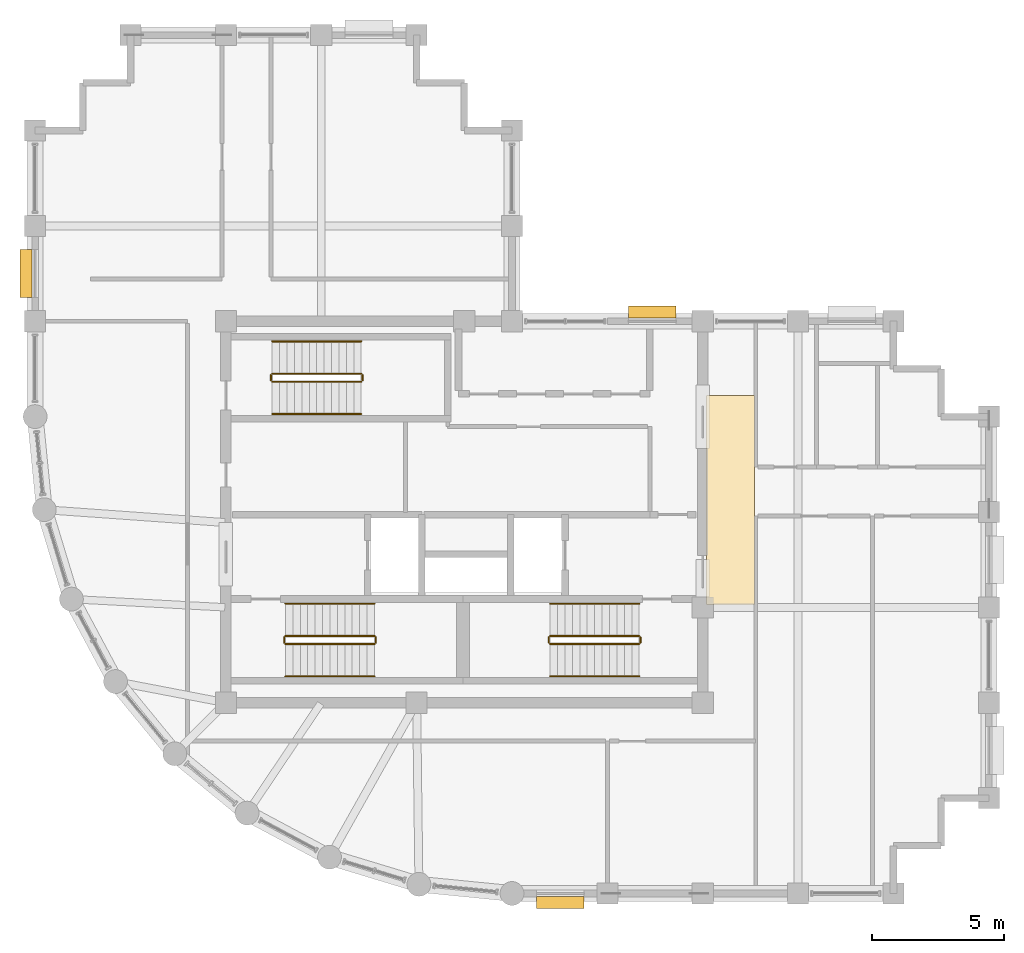
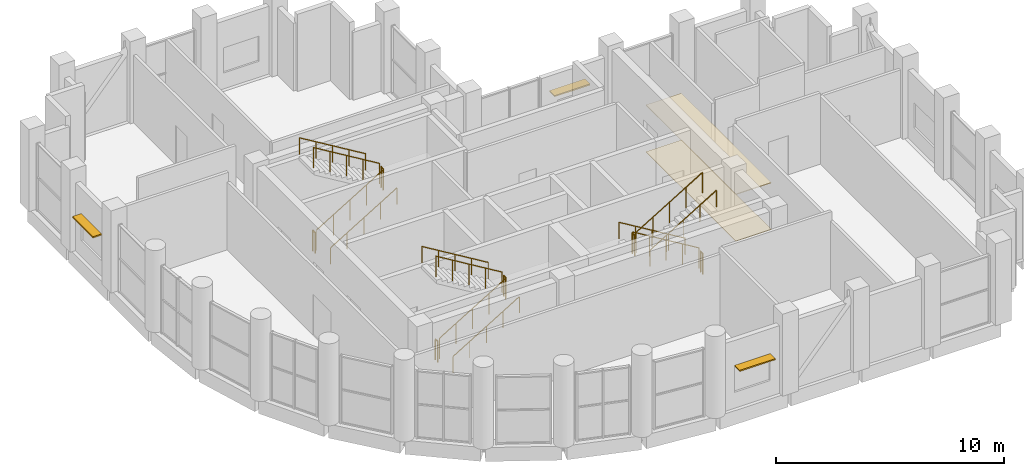
# One storey, part 17 of 18: 18 railings, 3 shading devices, 2 coverings.
"""IFC4 building model written with IfcOpenShell, lengths in metres."""

from ifc_helpers import new_model, si_unit, direction, frame, origin, origin_2d, place, context, subcontext, project, spatial, polyline, rectangle, circle, outline, extrude, material, layer, layer_set, type_object, element, save


model = new_model("IFC4")

# Units and contexts
model_context = context("Model", 3, precision=1e-05, world=origin(), true_north=direction((0.0, 1.0)))
body_context = subcontext(model_context, "Body", "Model", "MODEL_VIEW")
ifc_project = project(units=[si_unit("LENGTHUNIT", "METRE"), si_unit("AREAUNIT", "SQUARE_METRE"), si_unit("VOLUMEUNIT", "CUBIC_METRE"), si_unit("PLANEANGLEUNIT", "RADIAN"), si_unit("MASSUNIT", "GRAM", prefix="KILO")], contexts=[model_context])

# Site, building, storey
site_placement = place(None, origin())
site = spatial("IfcSite", under=ifc_project, at=site_placement, CompositionType="ELEMENT")
building_placement = place(site_placement, origin())
building = spatial("IfcBuilding", under=site, at=building_placement, Name="Solnavia Interchange Tower", CompositionType="ELEMENT")
storey_placement = place(building_placement, frame((0.0, 0.0, 295.39990234375)))
storey = spatial("IfcBuildingStorey", under=building, at=storey_placement, Name="L75", CompositionType="ELEMENT", Elevation=295.39990234375)

# Coverings
ifc_material_1 = material(Name="Perforated Mineral-Fibre & Gypsum Ceiling", Category="gypsum")
ifc_layer_1 = layer(ifc_material_1, 0.0400390625)
ifc_layer_set_1 = layer_set([ifc_layer_1], Name="Perforated Mineral-Fibre & Gypsum Ceiling")
covering_type_1 = type_object("IfcCoveringType", Name="Covering-Ceiling-Acoustic40", PredefinedType="CEILING", material=ifc_layer_set_1)
covering_1_placement = place(storey_placement, frame((0.0, 0.0, 2.5)))
element("IfcCovering", 1, at=covering_1_placement, inside=storey, type_object=covering_type_1, Name="CLG-L75-01 Circulation suspended acoustic ceiling", PredefinedType="CEILING", context=body_context, shape_type="SweptSolid", body=[
    extrude(outline(polyline([(32.550048828125, 14.5), (34.35009765625, 14.5), (34.35009765625, 22.39990234375), (32.550048828125, 22.39990234375), (32.550048828125, 14.5)])), origin(), (0.0, 0.0, 1.0), 0.0400390625),
])
ifc_material_2 = material(Name="Polished Alicante Stone Terrazzo", Category="masonry")
ifc_layer_2 = layer(ifc_material_2, 0.02490234375)
ifc_layer_set_2 = layer_set([ifc_layer_2], Name="Polished Alicante Stone Terrazzo")
covering_type_2 = type_object("IfcCoveringType", Name="Covering-Flooring-Terrazzo25", PredefinedType="FLOORING", material=ifc_layer_set_2)
covering_2_placement = place(storey_placement, origin())
element("IfcCovering", 2, at=covering_2_placement, inside=storey, type_object=covering_type_2, Name="FLR-L75-01 Circulation floor finish", PredefinedType="FLOORING", context=body_context, shape_type="SweptSolid", body=[
    extrude(outline(polyline([(32.550048828125, 14.5), (34.35009765625, 14.5), (34.35009765625, 22.39990234375), (32.550048828125, 22.39990234375), (32.550048828125, 14.5)])), origin(), (0.0, 0.0, 1.0), 0.025146484375),
])

# Railings
ifc_material_3 = material(Name="Painted Steel Balustrade", Category="steel")
railing_type_1 = type_object("IfcRailingType", Name="Railing-StairGuard-1100", PredefinedType="GUARDRAIL", material=ifc_material_3)
railing_1_placement = place(storey_placement, frame((16.64990234375, 13.02001953125, 0.16943359375)))
element("IfcRailing", 3, at=railing_1_placement, inside=storey, type_object=railing_type_1, Name="L75 ST-1 stair guard 1", PredefinedType="GUARDRAIL", context=body_context, shape_type="SweptSolid", body=[
    extrude(circle(Radius=0.02392578125, at=origin_2d()), frame((0.0, 0.0, 1.09619140625), z_axis=(0.855836976705, 0.0, 0.517245656632), x_axis=(0.0, 1.0, 0.0)), (0.0, 0.0, 1.0), 3.926025390625),
    extrude(circle(Radius=0.02099609375, at=origin_2d()), origin(), (0.0, 0.0, 1.0), 1.072021484375),
    extrude(circle(Radius=0.02099609375, at=origin_2d()), frame((0.840087890625, 0.0, 0.5078125)), (0.0, 0.0, 1.0), 1.072021484375),
    extrude(circle(Radius=0.02099609375, at=origin_2d()), frame((1.68017578125, 0.0, 1.015380859375)), (0.0, 0.0, 1.0), 1.072021484375),
    extrude(circle(Radius=0.02099609375, at=origin_2d()), frame((2.52001953125, 0.0, 1.52294921875)), (0.0, 0.0, 1.0), 1.072021484375),
    extrude(circle(Radius=0.02099609375, at=origin_2d()), frame((3.360107421875, 0.0, 2.03076171875)), (0.0, 0.0, 1.0), 1.072021484375),
])
railing_2_placement = place(storey_placement, frame((20.06005859375, 13.070068359375, 2.2001953125)))
element("IfcRailing", 4, at=railing_2_placement, inside=storey, type_object=railing_type_1, Name="L75 ST-1 stair guard 2", PredefinedType="GUARDRAIL", context=body_context, shape_type="SweptSolid", body=[
    extrude(circle(Radius=0.02392578125, at=origin_2d()), frame((0.0, 0.0, 1.09619140625), z_axis=(0.0, 1.0, 0.0), x_axis=(-1.0, 0.0, 0.0)), (0.0, 0.0, 1.0), 0.199951171875),
    extrude(circle(Radius=0.02099609375, at=origin_2d()), origin(), (0.0, 0.0, 1.0), 1.072021484375),
    extrude(circle(Radius=0.02099609375, at=origin_2d()), frame((0.0, 0.199951171875, 0.0)), (0.0, 0.0, 1.0), 1.072021484375),
])
railing_3_placement = place(storey_placement, frame((20.010009765625, 13.320068359375, 2.369384765625)))
element("IfcRailing", 5, at=railing_3_placement, inside=storey, type_object=railing_type_1, Name="L75 ST-1 stair guard 3", PredefinedType="GUARDRAIL", context=body_context, shape_type="SweptSolid", body=[
    extrude(circle(Radius=0.02392578125, at=origin_2d()), frame((0.0, 0.0, 1.09619140625), z_axis=(-0.855836976705, 0.0, 0.517245656632), x_axis=(0.0, -1.0, 0.0)), (0.0, 0.0, 1.0), 3.926025390625),
    extrude(circle(Radius=0.02099609375, at=origin_2d()), origin(), (0.0, 0.0, 1.0), 1.072021484375),
    extrude(circle(Radius=0.02099609375, at=origin_2d()), frame((-0.840087890625, 0.0, 0.5078125)), (0.0, 0.0, 1.0), 1.072021484375),
    extrude(circle(Radius=0.02099609375, at=origin_2d()), frame((-1.68017578125, 0.0, 1.015380859375)), (0.0, 0.0, 1.0), 1.072021484375),
    extrude(circle(Radius=0.02099609375, at=origin_2d()), frame((-2.52001953125, 0.0, 1.52294921875)), (0.0, 0.0, 1.0), 1.072021484375),
    extrude(circle(Radius=0.02099609375, at=origin_2d()), frame((-3.360107421875, 0.0, 2.03076171875)), (0.0, 0.0, 1.0), 1.072021484375),
])
railing_4_placement = place(storey_placement, frame((16.60009765625, 13.070068359375, 0.0)))
element("IfcRailing", 6, at=railing_4_placement, inside=storey, type_object=railing_type_1, Name="L75 ST-1 stair guard 4", PredefinedType="GUARDRAIL", context=body_context, shape_type="SweptSolid", body=[
    extrude(circle(Radius=0.02392578125, at=origin_2d()), frame((0.0, 0.0, 1.09619140625), z_axis=(0.0, 1.0, 0.0), x_axis=(-1.0, 0.0, 0.0)), (0.0, 0.0, 1.0), 0.199951171875),
    extrude(circle(Radius=0.02099609375, at=origin_2d()), origin(), (0.0, 0.0, 1.0), 1.072021484375),
    extrude(circle(Radius=0.02099609375, at=origin_2d()), frame((0.0, 0.199951171875, 0.0)), (0.0, 0.0, 1.0), 1.072021484375),
])
railing_5_placement = place(storey_placement, frame((30.0, 13.320068359375, 0.16943359375)))
element("IfcRailing", 7, at=railing_5_placement, inside=storey, type_object=railing_type_1, Name="L75 ST-2 stair guard 1", PredefinedType="GUARDRAIL", context=body_context, shape_type="SweptSolid", body=[
    extrude(circle(Radius=0.02392578125, at=origin_2d()), frame((0.0, 0.0, 1.09619140625), z_axis=(-0.855836976705, 0.0, 0.517245656632), x_axis=(0.0, -1.0, 0.0)), (0.0, 0.0, 1.0), 3.926025390625),
    extrude(circle(Radius=0.02099609375, at=origin_2d()), origin(), (0.0, 0.0, 1.0), 1.072021484375),
    extrude(circle(Radius=0.02099609375, at=origin_2d()), frame((-0.840087890625, 0.0, 0.5078125)), (0.0, 0.0, 1.0), 1.072021484375),
    extrude(circle(Radius=0.02099609375, at=origin_2d()), frame((-1.68017578125, 0.0, 1.015380859375)), (0.0, 0.0, 1.0), 1.072021484375),
    extrude(circle(Radius=0.02099609375, at=origin_2d()), frame((-2.52001953125, 0.0, 1.52294921875)), (0.0, 0.0, 1.0), 1.072021484375),
    extrude(circle(Radius=0.02099609375, at=origin_2d()), frame((-3.360107421875, 0.0, 2.03076171875)), (0.0, 0.0, 1.0), 1.072021484375),
])
railing_6_placement = place(storey_placement, frame((26.590087890625, 13.27001953125, 2.2001953125)))
element("IfcRailing", 8, at=railing_6_placement, inside=storey, type_object=railing_type_1, Name="L75 ST-2 stair guard 2", PredefinedType="GUARDRAIL", context=body_context, shape_type="SweptSolid", body=[
    extrude(circle(Radius=0.02392578125, at=origin_2d()), frame((0.0, 0.0, 1.09619140625), z_axis=(0.0, -1.0, 0.0), x_axis=(1.0, 0.0, 0.0)), (0.0, 0.0, 1.0), 0.199951171875),
    extrude(circle(Radius=0.02099609375, at=origin_2d()), origin(), (0.0, 0.0, 1.0), 1.072021484375),
    extrude(circle(Radius=0.02099609375, at=origin_2d()), frame((0.0, -0.199951171875, 0.0)), (0.0, 0.0, 1.0), 1.072021484375),
])
railing_7_placement = place(storey_placement, frame((26.639892578125, 13.02001953125, 2.369384765625)))
element("IfcRailing", 9, at=railing_7_placement, inside=storey, type_object=railing_type_1, Name="L75 ST-2 stair guard 3", PredefinedType="GUARDRAIL", context=body_context, shape_type="SweptSolid", body=[
    extrude(circle(Radius=0.02392578125, at=origin_2d()), frame((0.0, 0.0, 1.09619140625), z_axis=(0.855836976705, 0.0, 0.517245656632), x_axis=(0.0, 1.0, 0.0)), (0.0, 0.0, 1.0), 3.926025390625),
    extrude(circle(Radius=0.02099609375, at=origin_2d()), origin(), (0.0, 0.0, 1.0), 1.072021484375),
    extrude(circle(Radius=0.02099609375, at=origin_2d()), frame((0.840087890625, 0.0, 0.5078125)), (0.0, 0.0, 1.0), 1.072021484375),
    extrude(circle(Radius=0.02099609375, at=origin_2d()), frame((1.68017578125, 0.0, 1.015380859375)), (0.0, 0.0, 1.0), 1.072021484375),
    extrude(circle(Radius=0.02099609375, at=origin_2d()), frame((2.52001953125, 0.0, 1.52294921875)), (0.0, 0.0, 1.0), 1.072021484375),
    extrude(circle(Radius=0.02099609375, at=origin_2d()), frame((3.360107421875, 0.0, 2.03076171875)), (0.0, 0.0, 1.0), 1.072021484375),
])
railing_8_placement = place(storey_placement, frame((30.050048828125, 13.27001953125, 0.0)))
element("IfcRailing", 10, at=railing_8_placement, inside=storey, type_object=railing_type_1, Name="L75 ST-2 stair guard 4", PredefinedType="GUARDRAIL", context=body_context, shape_type="SweptSolid", body=[
    extrude(circle(Radius=0.02392578125, at=origin_2d()), frame((0.0, 0.0, 1.09619140625), z_axis=(0.0, -1.0, 0.0), x_axis=(1.0, 0.0, 0.0)), (0.0, 0.0, 1.0), 0.199951171875),
    extrude(circle(Radius=0.02099609375, at=origin_2d()), origin(), (0.0, 0.0, 1.0), 1.072021484375),
    extrude(circle(Radius=0.02099609375, at=origin_2d()), frame((0.0, -0.199951171875, 0.0)), (0.0, 0.0, 1.0), 1.072021484375),
])
railing_9_placement = place(storey_placement, frame((16.14990234375, 22.919921875, 0.16943359375)))
element("IfcRailing", 11, at=railing_9_placement, inside=storey, type_object=railing_type_1, Name="L75 ST-3 stair guard 1", PredefinedType="GUARDRAIL", context=body_context, shape_type="SweptSolid", body=[
    extrude(circle(Radius=0.02392578125, at=origin_2d()), frame((0.0, 0.0, 1.09619140625), z_axis=(0.855836976705, 0.0, 0.517245656632), x_axis=(0.0, 1.0, 0.0)), (0.0, 0.0, 1.0), 3.926025390625),
    extrude(circle(Radius=0.02099609375, at=origin_2d()), origin(), (0.0, 0.0, 1.0), 1.072021484375),
    extrude(circle(Radius=0.02099609375, at=origin_2d()), frame((0.840087890625, 0.0, 0.5078125)), (0.0, 0.0, 1.0), 1.072021484375),
    extrude(circle(Radius=0.02099609375, at=origin_2d()), frame((1.68017578125, 0.0, 1.015380859375)), (0.0, 0.0, 1.0), 1.072021484375),
    extrude(circle(Radius=0.02099609375, at=origin_2d()), frame((2.52001953125, 0.0, 1.52294921875)), (0.0, 0.0, 1.0), 1.072021484375),
    extrude(circle(Radius=0.02099609375, at=origin_2d()), frame((3.360107421875, 0.0, 2.03076171875)), (0.0, 0.0, 1.0), 1.072021484375),
])
railing_10_placement = place(storey_placement, frame((19.56005859375, 22.969970703125, 2.2001953125)))
element("IfcRailing", 12, at=railing_10_placement, inside=storey, type_object=railing_type_1, Name="L75 ST-3 stair guard 2", PredefinedType="GUARDRAIL", context=body_context, shape_type="SweptSolid", body=[
    extrude(circle(Radius=0.02392578125, at=origin_2d()), frame((0.0, 0.0, 1.09619140625), z_axis=(0.0, 1.0, 0.0), x_axis=(-1.0, 0.0, 0.0)), (0.0, 0.0, 1.0), 0.199951171875),
    extrude(circle(Radius=0.02099609375, at=origin_2d()), origin(), (0.0, 0.0, 1.0), 1.072021484375),
    extrude(circle(Radius=0.02099609375, at=origin_2d()), frame((0.0, 0.199951171875, 0.0)), (0.0, 0.0, 1.0), 1.072021484375),
])
railing_11_placement = place(storey_placement, frame((19.510009765625, 23.219970703125, 2.369384765625)))
element("IfcRailing", 13, at=railing_11_placement, inside=storey, type_object=railing_type_1, Name="L75 ST-3 stair guard 3", PredefinedType="GUARDRAIL", context=body_context, shape_type="SweptSolid", body=[
    extrude(circle(Radius=0.02392578125, at=origin_2d()), frame((0.0, 0.0, 1.09619140625), z_axis=(-0.855836976705, 0.0, 0.517245656632), x_axis=(0.0, -1.0, 0.0)), (0.0, 0.0, 1.0), 3.926025390625),
    extrude(circle(Radius=0.02099609375, at=origin_2d()), origin(), (0.0, 0.0, 1.0), 1.072021484375),
    extrude(circle(Radius=0.02099609375, at=origin_2d()), frame((-0.840087890625, 0.0, 0.5078125)), (0.0, 0.0, 1.0), 1.072021484375),
    extrude(circle(Radius=0.02099609375, at=origin_2d()), frame((-1.68017578125, 0.0, 1.015380859375)), (0.0, 0.0, 1.0), 1.072021484375),
    extrude(circle(Radius=0.02099609375, at=origin_2d()), frame((-2.52001953125, 0.0, 1.52294921875)), (0.0, 0.0, 1.0), 1.072021484375),
    extrude(circle(Radius=0.02099609375, at=origin_2d()), frame((-3.360107421875, 0.0, 2.03076171875)), (0.0, 0.0, 1.0), 1.072021484375),
])
railing_12_placement = place(storey_placement, frame((16.10009765625, 22.969970703125, 0.0)))
element("IfcRailing", 14, at=railing_12_placement, inside=storey, type_object=railing_type_1, Name="L75 ST-3 stair guard 4", PredefinedType="GUARDRAIL", context=body_context, shape_type="SweptSolid", body=[
    extrude(circle(Radius=0.02392578125, at=origin_2d()), frame((0.0, 0.0, 1.09619140625), z_axis=(0.0, 1.0, 0.0), x_axis=(-1.0, 0.0, 0.0)), (0.0, 0.0, 1.0), 0.199951171875),
    extrude(circle(Radius=0.02099609375, at=origin_2d()), origin(), (0.0, 0.0, 1.0), 1.072021484375),
    extrude(circle(Radius=0.02099609375, at=origin_2d()), frame((0.0, 0.199951171875, 0.0)), (0.0, 0.0, 1.0), 1.072021484375),
])
ifc_material_4 = material(Name="Brushed Stainless Steel", Category="steel")
railing_type_2 = type_object("IfcRailingType", Name="Railing-StairHandrail-900", PredefinedType="HANDRAIL", material=ifc_material_4)
railing_13_placement = place(storey_placement, frame((16.64990234375, 11.800048828125, 0.16943359375)))
element("IfcRailing", 15, at=railing_13_placement, inside=storey, type_object=railing_type_2, Name="L75 ST-1 stair handrail 1", PredefinedType="HANDRAIL", context=body_context, shape_type="SweptSolid", body=[
    extrude(circle(Radius=0.02392578125, at=origin_2d()), frame((0.0, 0.0, 0.8759765625), z_axis=(0.855836976705, 0.0, 0.517245656632), x_axis=(0.0, 1.0, 0.0)), (0.0, 0.0, 1.0), 3.926025390625),
    extrude(circle(Radius=0.02099609375, at=origin_2d()), origin(), (0.0, 0.0, 1.0), 0.851806640625),
    extrude(circle(Radius=0.02099609375, at=origin_2d()), frame((0.840087890625, 0.0, 0.5078125)), (0.0, 0.0, 1.0), 0.851806640625),
    extrude(circle(Radius=0.02099609375, at=origin_2d()), frame((1.68017578125, 0.0, 1.015380859375)), (0.0, 0.0, 1.0), 0.851806640625),
    extrude(circle(Radius=0.02099609375, at=origin_2d()), frame((2.52001953125, 0.0, 1.52294921875)), (0.0, 0.0, 1.0), 0.851806640625),
    extrude(circle(Radius=0.02099609375, at=origin_2d()), frame((3.360107421875, 0.0, 2.03076171875)), (0.0, 0.0, 1.0), 0.851806640625),
])
for number, where, name in (
    (16, (20.010009765625, 14.5400390625, 2.369384765625), "L75 ST-1 stair handrail 2"),
    (17, (30.0, 14.5400390625, 0.16943359375), "L75 ST-2 stair handrail 1"),
):
    element("IfcRailing", number, at=place(storey_placement, frame(where)), inside=storey, type_object=railing_type_2, Name=name, PredefinedType="HANDRAIL", context=body_context, shape_type="SweptSolid", body=[
        extrude(circle(Radius=0.02392578125, at=origin_2d()), frame((0.0, 0.0, 0.8759765625), z_axis=(-0.855836976705, 0.0, 0.517245656632), x_axis=(0.0, -1.0, 0.0)), (0.0, 0.0, 1.0), 3.926025390625),
        extrude(circle(Radius=0.02099609375, at=origin_2d()), origin(), (0.0, 0.0, 1.0), 0.851806640625),
        extrude(circle(Radius=0.02099609375, at=origin_2d()), frame((-0.840087890625, 0.0, 0.5078125)), (0.0, 0.0, 1.0), 0.851806640625),
        extrude(circle(Radius=0.02099609375, at=origin_2d()), frame((-1.68017578125, 0.0, 1.015380859375)), (0.0, 0.0, 1.0), 0.851806640625),
        extrude(circle(Radius=0.02099609375, at=origin_2d()), frame((-2.52001953125, 0.0, 1.52294921875)), (0.0, 0.0, 1.0), 0.851806640625),
        extrude(circle(Radius=0.02099609375, at=origin_2d()), frame((-3.360107421875, 0.0, 2.03076171875)), (0.0, 0.0, 1.0), 0.851806640625),
    ])
for number, where, name in (
    (18, (26.639892578125, 11.800048828125, 2.369384765625), "L75 ST-2 stair handrail 2"),
    (19, (16.14990234375, 21.699951171875, 0.16943359375), "L75 ST-3 stair handrail 1"),
):
    element("IfcRailing", number, at=place(storey_placement, frame(where)), inside=storey, type_object=railing_type_2, Name=name, PredefinedType="HANDRAIL", context=body_context, shape_type="SweptSolid", body=[
        extrude(circle(Radius=0.02392578125, at=origin_2d()), frame((0.0, 0.0, 0.8759765625), z_axis=(0.855836976705, 0.0, 0.517245656632), x_axis=(0.0, 1.0, 0.0)), (0.0, 0.0, 1.0), 3.926025390625),
        extrude(circle(Radius=0.02099609375, at=origin_2d()), origin(), (0.0, 0.0, 1.0), 0.851806640625),
        extrude(circle(Radius=0.02099609375, at=origin_2d()), frame((0.840087890625, 0.0, 0.5078125)), (0.0, 0.0, 1.0), 0.851806640625),
        extrude(circle(Radius=0.02099609375, at=origin_2d()), frame((1.68017578125, 0.0, 1.015380859375)), (0.0, 0.0, 1.0), 0.851806640625),
        extrude(circle(Radius=0.02099609375, at=origin_2d()), frame((2.52001953125, 0.0, 1.52294921875)), (0.0, 0.0, 1.0), 0.851806640625),
        extrude(circle(Radius=0.02099609375, at=origin_2d()), frame((3.360107421875, 0.0, 2.03076171875)), (0.0, 0.0, 1.0), 0.851806640625),
    ])
railing_14_placement = place(storey_placement, frame((19.510009765625, 24.43994140625, 2.369384765625)))
element("IfcRailing", 20, at=railing_14_placement, inside=storey, type_object=railing_type_2, Name="L75 ST-3 stair handrail 2", PredefinedType="HANDRAIL", context=body_context, shape_type="SweptSolid", body=[
    extrude(circle(Radius=0.02392578125, at=origin_2d()), frame((0.0, 0.0, 0.8759765625), z_axis=(-0.855836976705, 0.0, 0.517245656632), x_axis=(0.0, -1.0, 0.0)), (0.0, 0.0, 1.0), 3.926025390625),
    extrude(circle(Radius=0.02099609375, at=origin_2d()), origin(), (0.0, 0.0, 1.0), 0.851806640625),
    extrude(circle(Radius=0.02099609375, at=origin_2d()), frame((-0.840087890625, 0.0, 0.5078125)), (0.0, 0.0, 1.0), 0.851806640625),
    extrude(circle(Radius=0.02099609375, at=origin_2d()), frame((-1.68017578125, 0.0, 1.015380859375)), (0.0, 0.0, 1.0), 0.851806640625),
    extrude(circle(Radius=0.02099609375, at=origin_2d()), frame((-2.52001953125, 0.0, 1.52294921875)), (0.0, 0.0, 1.0), 0.851806640625),
    extrude(circle(Radius=0.02099609375, at=origin_2d()), frame((-3.360107421875, 0.0, 2.03076171875)), (0.0, 0.0, 1.0), 0.851806640625),
])

# Shading devices
ifc_material_5 = material(Name="Anodised Aluminium Sunshade", Category="aluminium")
ifc_layer_3 = layer(ifc_material_5, 0.070068359375)
ifc_layer_set_3 = layer_set([ifc_layer_3], Name="Anodised Aluminium Sunshade")
shading_device_type = type_object("IfcShadingDeviceType", Name="Sunshade-Band-450", PredefinedType="JALOUSIE", material=ifc_layer_set_3)
for number, where, z_axis, x_axis, name in (
    (21, (27.02490234375, 3.2548828125, 2.22509765625), (0.0, 0.0, 1.0), (-1.0, 0.0, 0.0), "SHD-L75-01 Horizontal sunshade band"),
    (22, (30.4951171875, 25.544921875, 2.22509765625), (0.0, 0.0, 1.0), (1.0, 0.0, 0.0), "SHD-L75-19 Horizontal sunshade band"),
    (23, (6.85498046875, 27.0, 2.22509765625), (0.0, 0.0, 1.0), (0.0, 1.0, 0.0), "SHD-L75-35 Horizontal sunshade band"),
):
    element("IfcShadingDevice", number, at=place(storey_placement, frame(where, z_axis=z_axis, x_axis=x_axis)), inside=storey, type_object=shading_device_type, Name=name, PredefinedType="JALOUSIE", context=body_context, shape_type="SweptSolid", body=[
        extrude(rectangle(XDim=1.800048828125, YDim=0.449951171875, at=origin_2d()), origin(), (0.0, 0.0, 1.0), 0.070068359375),
    ])

save(model, "model.ifc")
